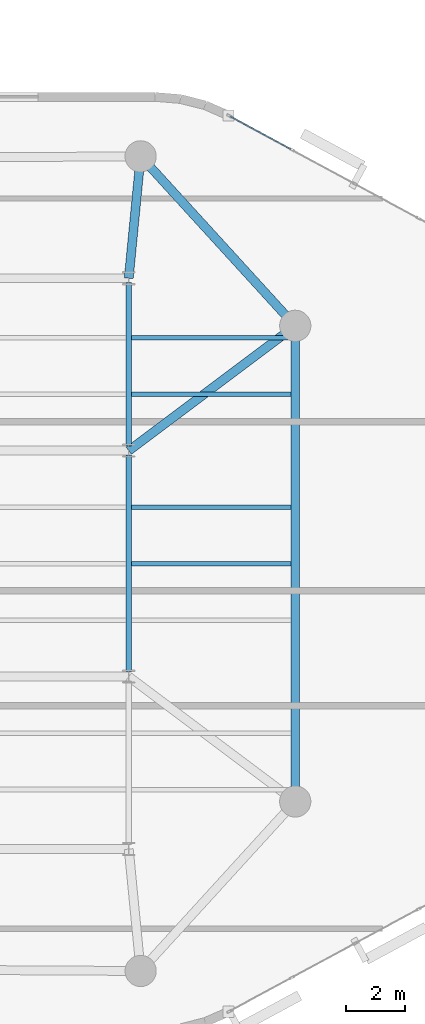
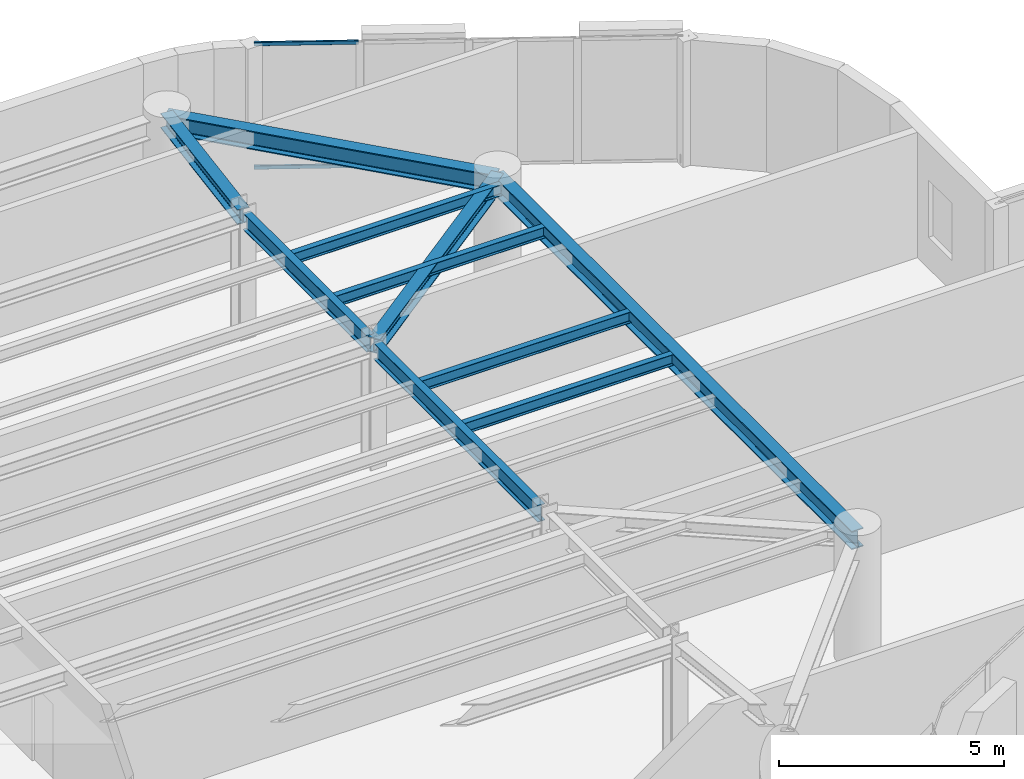
# One storey, part 5 of 14: 10 beams, 2 members, 1 element without a shape of its own.
"""IFC4 building model written with IfcOpenShell, lengths in metres."""

from ifc_helpers import new_model, si_unit, direction, frame, origin, origin_2d, place, context, subcontext, project, spatial, hollow_rectangle, i_section, extrude, material, layer, layer_set, material_profile, profile_set, type_object, element, aggregate, save


model = new_model("IFC4")

# Units and contexts
model_context = context("Model", 3, precision=1e-05, world=origin(), true_north=direction((0.0, 1.0)))
body_context = subcontext(model_context, "Body", "Model", "MODEL_VIEW")
ifc_project = project(units=[si_unit("LENGTHUNIT", "METRE"), si_unit("AREAUNIT", "SQUARE_METRE"), si_unit("VOLUMEUNIT", "CUBIC_METRE"), si_unit("PLANEANGLEUNIT", "RADIAN"), si_unit("MASSUNIT", "GRAM", prefix="KILO")], contexts=[model_context])

# Site, building, storey
site_placement = place(None, origin())
site = spatial("IfcSite", under=ifc_project, at=site_placement, CompositionType="ELEMENT")
building_placement = place(site_placement, origin())
building = spatial("IfcBuilding", under=site, at=building_placement, Name="An Khanh Terracotta Commons", CompositionType="ELEMENT")
storey_placement = place(building_placement, frame((0.0, 0.0, 219.300048828125)))
storey = spatial("IfcBuildingStorey", under=building, at=storey_placement, Name="L57", CompositionType="ELEMENT", Elevation=219.300048828125)

# Beams
ifc_material_1 = material(Name="Steel S355J2", Category="steel")
ifc_material_profile_1 = material_profile(ifc_material_1, i_section(OverallWidth=0.300048828125, OverallDepth=0.39990234375, WebThickness=0.013427734375, FlangeThickness=0.02392578125, FilletRadius=0.027099609375, at=origin_2d()), Name="HEB400")
ifc_profile_set_1 = profile_set([ifc_material_profile_1], Name="Steel S355J2")
beam_type_1 = type_object("IfcBeamType", Name="BM-HEB400", PredefinedType="BEAM", material=ifc_profile_set_1)
beam_1_placement = place(storey_placement, frame((59.60009765625, 32.0, 3.199951171875), z_axis=(-0.800008370399, -0.599988839305, 0.0), x_axis=(0.599988839305, -0.800008370399, 0.0)))
element("IfcBeam", 1, at=beam_1_placement, inside=storey, type_object=beam_type_1, Name="L57 Mega-Column Tie Girder 4", PredefinedType="BEAM", context=body_context, shape_type="SweptSolid", body=[
    extrude(i_section(OverallWidth=0.300048828125, OverallDepth=0.39990234375, WebThickness=0.013427734375, FlangeThickness=0.02392578125, FilletRadius=0.027099609375, at=origin_2d()), origin(), (0.0, 0.0, 1.0), 7.0),
])
beam_2_placement = place(storey_placement, frame((54.39990234375, 37.699951171875, 3.199951171875), z_axis=(-0.097079917443, -0.995276589511, 0.0), x_axis=(0.995276589511, -0.097079917443, 0.0)))
element("IfcBeam", 2, at=beam_2_placement, inside=storey, type_object=beam_type_1, Name="L57 Mega-Column Tie Girder 5", PredefinedType="BEAM", context=body_context, shape_type="SweptSolid", body=[
    extrude(i_section(OverallWidth=0.300048828125, OverallDepth=0.39990234375, WebThickness=0.013427734375, FlangeThickness=0.02392578125, FilletRadius=0.027099609375, at=origin_2d()), origin(), (0.0, 0.0, 1.0), 4.119384765625),
])
ifc_material_profile_2 = material_profile(ifc_material_1, i_section(OverallWidth=0.300048828125, OverallDepth=0.5, WebThickness=0.014404296875, FlangeThickness=0.028076171875, FilletRadius=0.027099609375, at=origin_2d()), Name="HEB500")
ifc_profile_set_2 = profile_set([ifc_material_profile_2], Name="Steel S355J2")
beam_type_2 = type_object("IfcBeamType", Name="BM-HEB500", PredefinedType="BEAM", material=ifc_profile_set_2)
beam_3_placement = place(storey_placement, frame((59.60009765625, 16.0, 3.14990234375), z_axis=(0.0, 1.0, 0.0), x_axis=(-1.0, 0.0, 0.0)))
element("IfcBeam", 3, at=beam_3_placement, inside=storey, type_object=beam_type_2, Name="L57 Perimeter Ring Spandrel 3", PredefinedType="BEAM", context=body_context, shape_type="SweptSolid", body=[
    extrude(i_section(OverallWidth=0.300048828125, OverallDepth=0.5, WebThickness=0.014404296875, FlangeThickness=0.028076171875, FilletRadius=0.027099609375, at=origin_2d()), origin(), (0.0, 0.0, 1.0), 16.0),
])
beam_4_placement = place(storey_placement, frame((59.60009765625, 32.0, 3.14990234375), z_axis=(-0.673978953902, 0.738750546326, 0.0), x_axis=(-0.738750546326, -0.673978953902, 0.0)))
element("IfcBeam", 4, at=beam_4_placement, inside=storey, type_object=beam_type_2, Name="L57 Perimeter Ring Spandrel 4", PredefinedType="BEAM", context=body_context, shape_type="SweptSolid", body=[
    extrude(i_section(OverallWidth=0.300048828125, OverallDepth=0.5, WebThickness=0.014404296875, FlangeThickness=0.028076171875, FilletRadius=0.027099609375, at=origin_2d()), origin(), (0.0, 0.0, 1.0), 7.715576171875),
])
ifc_material_profile_3 = material_profile(ifc_material_1, i_section(OverallWidth=0.14990234375, OverallDepth=0.300048828125, WebThickness=0.007080078125, FlangeThickness=0.0107421875, FilletRadius=0.014892578125, at=origin_2d()), Name="IPE300")
ifc_profile_set_3 = profile_set([ifc_material_profile_3], Name="Steel S355J2")
beam_type_3 = type_object("IfcBeamType", Name="BM-IPE300", PredefinedType="JOIST", material=ifc_profile_set_3)
for number, where, z_axis, x_axis, name in (
    (5, (54.094970703125, 24.0, 3.25), (1.0, 0.0, 0.0), (0.0, 1.0, 0.0), "L57 Riverfront Composite Joist 4"),
    (6, (54.094970703125, 25.89990234375, 3.25), (1.0, 0.0, 0.0), (0.0, 1.0, 0.0), "L57 Riverfront Composite Joist 5"),
    (7, (54.094970703125, 29.699951171875, 3.25), (1.0, 0.0, 0.0), (0.0, 1.0, 0.0), "L57 Riverfront Composite Joist 6"),
    (8, (54.094970703125, 31.60009765625, 3.25), (1.0, 0.0, 0.0), (0.0, 1.0, 0.0), "L57 Riverfront Composite Joist 7"),
):
    element("IfcBeam", number, at=place(storey_placement, frame(where, z_axis=z_axis, x_axis=x_axis)), inside=storey, type_object=beam_type_3, Name=name, PredefinedType="JOIST", context=body_context, shape_type="SweptSolid", body=[
        extrude(i_section(OverallWidth=0.14990234375, OverallDepth=0.300048828125, WebThickness=0.007080078125, FlangeThickness=0.0107421875, FilletRadius=0.014892578125, at=origin_2d()), origin(), (0.0, 0.0, 1.0), 5.35498046875),
    ])
ifc_material_profile_4 = material_profile(ifc_material_1, i_section(OverallWidth=0.18994140625, OverallDepth=0.449951171875, WebThickness=0.009521484375, FlangeThickness=0.0146484375, FilletRadius=0.02099609375, at=origin_2d()), Name="IPE450")
ifc_profile_set_4 = profile_set([ifc_material_profile_4], Name="Steel S355J2")
beam_type_4 = type_object("IfcBeamType", Name="BM-IPE450", PredefinedType="JOIST", material=ifc_profile_set_4)
beam_5_placement = place(storey_placement, frame((54.0, 20.35009765625, 3.175048828125), z_axis=(0.0, 1.0, 0.0), x_axis=(-1.0, 0.0, 0.0)))
element("IfcBeam", 9, at=beam_5_placement, inside=storey, type_object=beam_type_4, Name="L57 East Spine Girder 2", PredefinedType="JOIST", context=body_context, shape_type="SweptSolid", body=[
    extrude(i_section(OverallWidth=0.18994140625, OverallDepth=0.449951171875, WebThickness=0.009521484375, FlangeThickness=0.0146484375, FilletRadius=0.02099609375, at=origin_2d()), origin(), (0.0, 0.0, 1.0), 7.2998046875),
])
beam_6_placement = place(storey_placement, frame((54.0, 27.949951171875, 3.175048828125), z_axis=(0.0, 1.0, 0.0), x_axis=(-1.0, 0.0, 0.0)))
element("IfcBeam", 10, at=beam_6_placement, inside=storey, type_object=beam_type_4, Name="L57 East Spine Girder 3", PredefinedType="JOIST", context=body_context, shape_type="SweptSolid", body=[
    extrude(i_section(OverallWidth=0.18994140625, OverallDepth=0.449951171875, WebThickness=0.009521484375, FlangeThickness=0.0146484375, FilletRadius=0.02099609375, at=origin_2d()), origin(), (0.0, 0.0, 1.0), 5.5),
])

# Curtain wall, members
ifc_material_2 = material(Name="Anodised Aluminium 6063-T6", Category="aluminium")
ifc_layer = layer(ifc_material_2, 0.2099609375, Name="Anodised Aluminium 6063-T6")
ifc_layer_set = layer_set([ifc_layer], Name="Anodised Aluminium 6063-T6")
curtain_wall_type = type_object("IfcCurtainWallType", Name="CW-SYS-03", PredefinedType="USERDEFINED", material=ifc_layer_set)
curtain_wall_placement = place(storey_placement, origin())
curtain_wall = element("IfcCurtainWall", 11, at=curtain_wall_placement, inside=storey, type_object=curtain_wall_type, Name="L57 CW-03 Unitised Curtain Wall CW-L57-16", ObjectType="UNITISED CURTAIN WALL", PredefinedType="USERDEFINED")
ifc_material_profile_5 = material_profile(ifc_material_2, hollow_rectangle(XDim=0.050048828125, YDim=0.10009765625, WallThickness=0.003173828125, InnerFilletRadius=0.003173828125, OuterFilletRadius=0.00634765625, at=origin_2d()), Name="RHS100x50x3.2")
ifc_profile_set_5 = profile_set([ifc_material_profile_5], Name="Anodised Aluminium 6063-T6")
member_type = type_object("IfcMemberType", Name="CWT-RHS100x50x3.2", PredefinedType="USERDEFINED", material=ifc_profile_set_5)
member_1_placement = place(storey_placement, frame((59.455078125, 37.94140625, 0.02490234375), z_axis=(-0.879779245677, 0.475382455373, 0.0), x_axis=(-0.475382455373, -0.879779245677, 0.0)))
member_1 = element("IfcMember", 12, at=member_1_placement, type_object=member_type, Name="CW-03 transom 4.1", ObjectType="TRANSOM", PredefinedType="USERDEFINED", context=body_context, shape_type="SweptSolid", body=[
    extrude(hollow_rectangle(XDim=0.050048828125, YDim=0.10009765625, WallThickness=0.003173828125, InnerFilletRadius=0.003173828125, OuterFilletRadius=0.00634765625, at=origin_2d()), origin(), (0.0, 0.0, 1.0), 2.314697265625),
])
member_2_placement = place(storey_placement, frame((59.455078125, 37.94140625, 3.375), z_axis=(-0.879779245677, 0.475382455373, 0.0), x_axis=(-0.475382455373, -0.879779245677, 0.0)))
member_2 = element("IfcMember", 13, at=member_2_placement, type_object=member_type, Name="CW-03 transom 4.2", ObjectType="TRANSOM", PredefinedType="USERDEFINED", context=body_context, shape_type="SweptSolid", body=[
    extrude(hollow_rectangle(XDim=0.050048828125, YDim=0.10009765625, WallThickness=0.003173828125, InnerFilletRadius=0.003173828125, OuterFilletRadius=0.00634765625, at=origin_2d()), origin(), (0.0, 0.0, 1.0), 2.314697265625),
])
aggregate(curtain_wall, [member_1, member_2])

save(model, "model.ifc")
